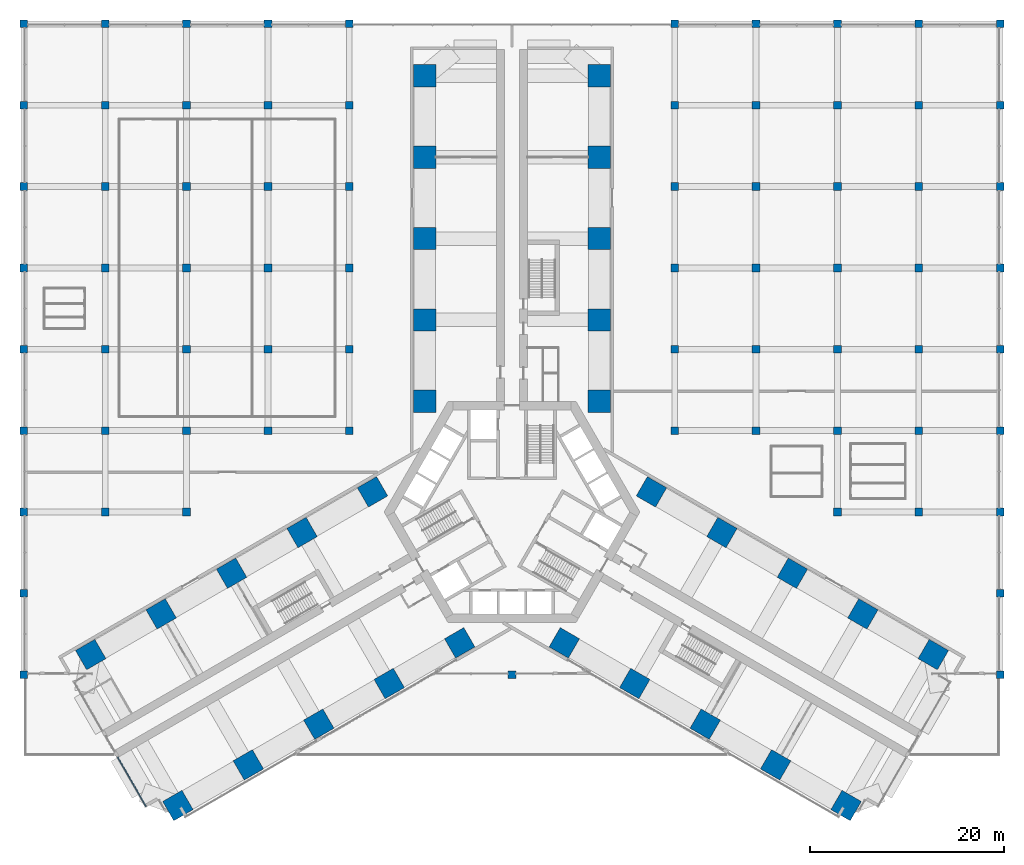
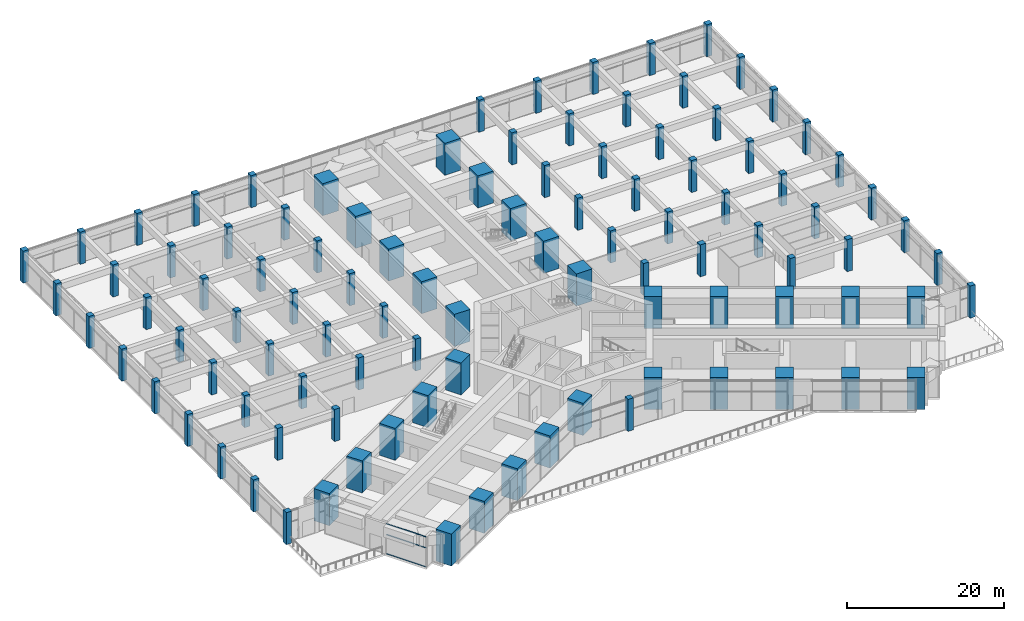
# One storey, part 1 of 34: 101 columns, 3 members, 1 element without a shape of its own.
"""IFC4 building model written with IfcOpenShell, lengths in metres."""

from ifc_helpers import new_model, si_unit, direction, frame, origin, origin_2d, place, context, subcontext, project, spatial, rectangle, extrude, material, material_profile, profile_set, type_object, element, aggregate, save


model = new_model("IFC4")

# Units and contexts
model_context = context("Model", 3, precision=1e-05, world=origin(), true_north=direction((0.0, 1.0)))
body_context = subcontext(model_context, "Body", "Model", "MODEL_VIEW")
ifc_project = project(units=[si_unit("LENGTHUNIT", "METRE"), si_unit("AREAUNIT", "SQUARE_METRE"), si_unit("VOLUMEUNIT", "CUBIC_METRE"), si_unit("PLANEANGLEUNIT", "RADIAN"), si_unit("MASSUNIT", "GRAM", prefix="KILO")], contexts=[model_context])

# Site, building, storey
site_placement = place(None, origin())
site = spatial("IfcSite", under=ifc_project, at=site_placement, CompositionType="ELEMENT")
building_placement = place(site_placement, origin())
building = spatial("IfcBuilding", under=site, at=building_placement, Name="Impinga Residences", CompositionType="ELEMENT")
storey_placement = place(building_placement, frame((0.0, 0.0, 16.0)))
storey = spatial("IfcBuildingStorey", under=building, at=storey_placement, Name="L03", CompositionType="ELEMENT", Elevation=16.0)

# Columns
ifc_material_1 = material(Name="Concrete C70/85", Category="concrete")
ifc_material_profile_1 = material_profile(ifc_material_1, rectangle(XDim=2.300048828125, YDim=2.300048828125, at=origin_2d()), Name="RC 2300x2300")
ifc_profile_set_1 = profile_set([ifc_material_profile_1], Name="Concrete C70/85")
column_type_1 = type_object("IfcColumnType", Name="C1 2300x2300 column", PredefinedType="COLUMN", material=ifc_profile_set_1)
for number, where, z_axis, x_axis, name in (
    (1, (-9.0, 11.431640625, 0.0), (0.0, 0.0, 1.0), (1.0, 0.0, 0.0), "Column C1 N1/NA L03"),
    (2, (9.0, 11.431640625, 0.0), (0.0, 0.0, 1.0), (1.0, 0.0, 0.0), "Column C1 N1/NF L03"),
    (3, (-9.0, 19.83154296875, 0.0), (0.0, 0.0, 1.0), (1.0, 0.0, 0.0), "Column C1 N2/NA L03"),
    (4, (9.0, 19.83154296875, 0.0), (0.0, 0.0, 1.0), (1.0, 0.0, 0.0), "Column C1 N2/NF L03"),
    (5, (-9.0, 28.2314453125, 0.0), (0.0, 0.0, 1.0), (1.0, 0.0, 0.0), "Column C1 N3/NA L03"),
    (6, (9.0, 28.2314453125, 0.0), (0.0, 0.0, 1.0), (1.0, 0.0, 0.0), "Column C1 N3/NF L03"),
    (7, (-9.0, 36.631591796875, 0.0), (0.0, 0.0, 1.0), (1.0, 0.0, 0.0), "Column C1 N4/NA L03"),
    (8, (9.0, 36.631591796875, 0.0), (0.0, 0.0, 1.0), (1.0, 0.0, 0.0), "Column C1 N4/NF L03"),
    (9, (-9.0, 45.031494140625, 0.0), (0.0, 0.0, 1.0), (1.0, 0.0, 0.0), "Column C1 N5/NA L03"),
    (10, (9.0, 45.031494140625, 0.0), (0.0, 0.0, 1.0), (1.0, 0.0, 0.0), "Column C1 N5/NF L03"),
    (11, (-5.39990234375, -13.510009765625, 0.0), (0.0, 0.0, 1.0), (-0.5, 0.866025403784, 0.0), "Column C1 W1/WA L03"),
    (12, (-14.39990234375, 2.078369140625, 0.0), (0.0, 0.0, 1.0), (-0.5, 0.866025403784, 0.0), "Column C1 W1/WF L03"),
    (13, (-12.674560546875, -17.7099609375, 0.0), (0.0, 0.0, 1.0), (-0.5, 0.866025403784, 0.0), "Column C1 W2/WA L03"),
    (14, (-21.674560546875, -2.12158203125, 0.0), (0.0, 0.0, 1.0), (-0.5, 0.866025403784, 0.0), "Column C1 W2/WF L03"),
    (15, (-19.94921875, -21.909912109375, 0.0), (0.0, 0.0, 1.0), (-0.5, 0.866025403784, 0.0), "Column C1 W3/WA L03"),
    (16, (-28.94921875, -6.321533203125, 0.0), (0.0, 0.0, 1.0), (-0.5, 0.866025403784, 0.0), "Column C1 W3/WF L03"),
    (17, (-27.223876953125, -26.110107421875, 0.0), (0.0, 0.0, 1.0), (-0.5, 0.866025403784, 0.0), "Column C1 W4/WA L03"),
    (18, (-36.223876953125, -10.521484375, 0.0), (0.0, 0.0, 1.0), (-0.5, 0.866025403784, 0.0), "Column C1 W4/WF L03"),
    (19, (-34.49853515625, -30.31005859375, 0.0), (0.0, 0.0, 1.0), (-0.5, 0.866025403784, 0.0), "Column C1 W5/WA L03"),
    (20, (-43.49853515625, -14.721435546875, 0.0), (0.0, 0.0, 1.0), (-0.5, 0.866025403784, 0.0), "Column C1 W5/WF L03"),
    (21, (14.39990234375, 2.078369140625, 0.0), (0.0, 0.0, 1.0), (-0.5, -0.866025403784, 0.0), "Column C1 E1/EA L03"),
    (22, (5.39990234375, -13.510009765625, 0.0), (0.0, 0.0, 1.0), (-0.5, -0.866025403784, 0.0), "Column C1 E1/EF L03"),
    (23, (21.674560546875, -2.12158203125, 0.0), (0.0, 0.0, 1.0), (-0.5, -0.866025403784, 0.0), "Column C1 E2/EA L03"),
    (24, (12.674560546875, -17.7099609375, 0.0), (0.0, 0.0, 1.0), (-0.5, -0.866025403784, 0.0), "Column C1 E2/EF L03"),
    (25, (28.94921875, -6.321533203125, 0.0), (0.0, 0.0, 1.0), (-0.5, -0.866025403784, 0.0), "Column C1 E3/EA L03"),
    (26, (19.94921875, -21.909912109375, 0.0), (0.0, 0.0, 1.0), (-0.5, -0.866025403784, 0.0), "Column C1 E3/EF L03"),
    (27, (36.223876953125, -10.521484375, 0.0), (0.0, 0.0, 1.0), (-0.5, -0.866025403784, 0.0), "Column C1 E4/EA L03"),
    (28, (27.223876953125, -26.110107421875, 0.0), (0.0, 0.0, 1.0), (-0.5, -0.866025403784, 0.0), "Column C1 E4/EF L03"),
    (29, (43.49853515625, -14.721435546875, 0.0), (0.0, 0.0, 1.0), (-0.5, -0.866025403784, 0.0), "Column C1 E5/EA L03"),
    (30, (34.49853515625, -30.31005859375, 0.0), (0.0, 0.0, 1.0), (-0.5, -0.866025403784, 0.0), "Column C1 E5/EF L03"),
):
    element("IfcColumn", number, at=place(storey_placement, frame(where, z_axis=z_axis, x_axis=x_axis)), inside=storey, type_object=column_type_1, Name=name, PredefinedType="COLUMN", context=body_context, shape_type="SweptSolid", body=[
        extrude(rectangle(XDim=2.300048828125, YDim=2.300048828125, at=origin_2d()), origin(), (0.0, 0.0, 1.0), 5.0),
    ])
ifc_material_profile_2 = material_profile(ifc_material_1, rectangle(XDim=0.800048828125, YDim=0.800048828125, at=origin_2d()), Name="RC 800x800")
ifc_profile_set_2 = profile_set([ifc_material_profile_2], Name="Concrete C70/85")
column_type_2 = type_object("IfcColumnType", Name="PC3 800x800 column", PredefinedType="COLUMN", material=ifc_profile_set_2)
for number, where, z_axis, x_axis, name in (
    (31, (-50.39990234375, -16.800048828125, 0.0), (0.0, 0.0, 1.0), (1.0, 0.0, 0.0), "Column PC3 1/D L03"),
    (32, (-50.39990234375, -8.39990234375, 0.0), (0.0, 0.0, 1.0), (1.0, 0.0, 0.0), "Column PC3 1/E L03"),
    (33, (-50.39990234375, 0.0, 0.0), (0.0, 0.0, 1.0), (1.0, 0.0, 0.0), "Column PC3 1/F L03"),
    (34, (-50.39990234375, 8.39990234375, 0.0), (0.0, 0.0, 1.0), (1.0, 0.0, 0.0), "Column PC3 1/G L03"),
    (35, (-50.39990234375, 16.800048828125, 0.0), (0.0, 0.0, 1.0), (1.0, 0.0, 0.0), "Column PC3 1/H L03"),
    (36, (-50.39990234375, 25.199951171875, 0.0), (0.0, 0.0, 1.0), (1.0, 0.0, 0.0), "Column PC3 1/J L03"),
    (37, (-50.39990234375, 33.60009765625, 0.0), (0.0, 0.0, 1.0), (1.0, 0.0, 0.0), "Column PC3 1/K L03"),
    (38, (-50.39990234375, 42.0, 0.0), (0.0, 0.0, 1.0), (1.0, 0.0, 0.0), "Column PC3 1/L L03"),
    (39, (-50.39990234375, 50.39990234375, 0.0), (0.0, 0.0, 1.0), (1.0, 0.0, 0.0), "Column PC3 1/M L03"),
    (40, (-42.0, 0.0, 0.0), (0.0, 0.0, 1.0), (1.0, 0.0, 0.0), "Column PC3 2/F L03"),
    (41, (-42.0, 8.39990234375, 0.0), (0.0, 0.0, 1.0), (1.0, 0.0, 0.0), "Column PC3 2/G L03"),
    (42, (-42.0, 16.800048828125, 0.0), (0.0, 0.0, 1.0), (1.0, 0.0, 0.0), "Column PC3 2/H L03"),
    (43, (-42.0, 25.199951171875, 0.0), (0.0, 0.0, 1.0), (1.0, 0.0, 0.0), "Column PC3 2/J L03"),
    (44, (-42.0, 33.60009765625, 0.0), (0.0, 0.0, 1.0), (1.0, 0.0, 0.0), "Column PC3 2/K L03"),
    (45, (-42.0, 42.0, 0.0), (0.0, 0.0, 1.0), (1.0, 0.0, 0.0), "Column PC3 2/L L03"),
    (46, (-42.0, 50.39990234375, 0.0), (0.0, 0.0, 1.0), (1.0, 0.0, 0.0), "Column PC3 2/M L03"),
    (47, (-33.60009765625, 0.0, 0.0), (0.0, 0.0, 1.0), (1.0, 0.0, 0.0), "Column PC3 3/F L03"),
    (48, (-33.60009765625, 8.39990234375, 0.0), (0.0, 0.0, 1.0), (1.0, 0.0, 0.0), "Column PC3 3/G L03"),
    (49, (-33.60009765625, 16.800048828125, 0.0), (0.0, 0.0, 1.0), (1.0, 0.0, 0.0), "Column PC3 3/H L03"),
    (50, (-33.60009765625, 25.199951171875, 0.0), (0.0, 0.0, 1.0), (1.0, 0.0, 0.0), "Column PC3 3/J L03"),
    (51, (-33.60009765625, 33.60009765625, 0.0), (0.0, 0.0, 1.0), (1.0, 0.0, 0.0), "Column PC3 3/K L03"),
    (52, (-33.60009765625, 42.0, 0.0), (0.0, 0.0, 1.0), (1.0, 0.0, 0.0), "Column PC3 3/L L03"),
    (53, (-33.60009765625, 50.39990234375, 0.0), (0.0, 0.0, 1.0), (1.0, 0.0, 0.0), "Column PC3 3/M L03"),
    (54, (-25.199951171875, 8.39990234375, 0.0), (0.0, 0.0, 1.0), (1.0, 0.0, 0.0), "Column PC3 4/G L03"),
    (55, (-25.199951171875, 16.800048828125, 0.0), (0.0, 0.0, 1.0), (1.0, 0.0, 0.0), "Column PC3 4/H L03"),
    (56, (-25.199951171875, 25.199951171875, 0.0), (0.0, 0.0, 1.0), (1.0, 0.0, 0.0), "Column PC3 4/J L03"),
    (57, (-25.199951171875, 33.60009765625, 0.0), (0.0, 0.0, 1.0), (1.0, 0.0, 0.0), "Column PC3 4/K L03"),
    (58, (-25.199951171875, 42.0, 0.0), (0.0, 0.0, 1.0), (1.0, 0.0, 0.0), "Column PC3 4/L L03"),
    (59, (-25.199951171875, 50.39990234375, 0.0), (0.0, 0.0, 1.0), (1.0, 0.0, 0.0), "Column PC3 4/M L03"),
    (60, (-16.800048828125, 8.39990234375, 0.0), (0.0, 0.0, 1.0), (1.0, 0.0, 0.0), "Column PC3 5/G L03"),
    (61, (-16.800048828125, 16.800048828125, 0.0), (0.0, 0.0, 1.0), (1.0, 0.0, 0.0), "Column PC3 5/H L03"),
    (62, (-16.800048828125, 25.199951171875, 0.0), (0.0, 0.0, 1.0), (1.0, 0.0, 0.0), "Column PC3 5/J L03"),
    (63, (-16.800048828125, 33.60009765625, 0.0), (0.0, 0.0, 1.0), (1.0, 0.0, 0.0), "Column PC3 5/K L03"),
    (64, (-16.800048828125, 42.0, 0.0), (0.0, 0.0, 1.0), (1.0, 0.0, 0.0), "Column PC3 5/L L03"),
    (65, (-16.800048828125, 50.39990234375, 0.0), (0.0, 0.0, 1.0), (1.0, 0.0, 0.0), "Column PC3 5/M L03"),
    (66, (0.0, -16.800048828125, 0.0), (0.0, 0.0, 1.0), (1.0, 0.0, 0.0), "Column PC3 7/D L03"),
    (67, (16.800048828125, 8.39990234375, 0.0), (0.0, 0.0, 1.0), (1.0, 0.0, 0.0), "Column PC3 9/G L03"),
    (68, (16.800048828125, 16.800048828125, 0.0), (0.0, 0.0, 1.0), (1.0, 0.0, 0.0), "Column PC3 9/H L03"),
    (69, (16.800048828125, 25.199951171875, 0.0), (0.0, 0.0, 1.0), (1.0, 0.0, 0.0), "Column PC3 9/J L03"),
    (70, (16.800048828125, 33.60009765625, 0.0), (0.0, 0.0, 1.0), (1.0, 0.0, 0.0), "Column PC3 9/K L03"),
    (71, (16.800048828125, 42.0, 0.0), (0.0, 0.0, 1.0), (1.0, 0.0, 0.0), "Column PC3 9/L L03"),
    (72, (16.800048828125, 50.39990234375, 0.0), (0.0, 0.0, 1.0), (1.0, 0.0, 0.0), "Column PC3 9/M L03"),
    (73, (25.199951171875, 8.39990234375, 0.0), (0.0, 0.0, 1.0), (1.0, 0.0, 0.0), "Column PC3 10/G L03"),
    (74, (25.199951171875, 16.800048828125, 0.0), (0.0, 0.0, 1.0), (1.0, 0.0, 0.0), "Column PC3 10/H L03"),
    (75, (25.199951171875, 25.199951171875, 0.0), (0.0, 0.0, 1.0), (1.0, 0.0, 0.0), "Column PC3 10/J L03"),
    (76, (25.199951171875, 33.60009765625, 0.0), (0.0, 0.0, 1.0), (1.0, 0.0, 0.0), "Column PC3 10/K L03"),
    (77, (25.199951171875, 42.0, 0.0), (0.0, 0.0, 1.0), (1.0, 0.0, 0.0), "Column PC3 10/L L03"),
    (78, (25.199951171875, 50.39990234375, 0.0), (0.0, 0.0, 1.0), (1.0, 0.0, 0.0), "Column PC3 10/M L03"),
    (79, (33.60009765625, 0.0, 0.0), (0.0, 0.0, 1.0), (1.0, 0.0, 0.0), "Column PC3 11/F L03"),
    (80, (33.60009765625, 8.39990234375, 0.0), (0.0, 0.0, 1.0), (1.0, 0.0, 0.0), "Column PC3 11/G L03"),
    (81, (33.60009765625, 16.800048828125, 0.0), (0.0, 0.0, 1.0), (1.0, 0.0, 0.0), "Column PC3 11/H L03"),
    (82, (33.60009765625, 25.199951171875, 0.0), (0.0, 0.0, 1.0), (1.0, 0.0, 0.0), "Column PC3 11/J L03"),
    (83, (33.60009765625, 33.60009765625, 0.0), (0.0, 0.0, 1.0), (1.0, 0.0, 0.0), "Column PC3 11/K L03"),
    (84, (33.60009765625, 42.0, 0.0), (0.0, 0.0, 1.0), (1.0, 0.0, 0.0), "Column PC3 11/L L03"),
    (85, (33.60009765625, 50.39990234375, 0.0), (0.0, 0.0, 1.0), (1.0, 0.0, 0.0), "Column PC3 11/M L03"),
    (86, (42.0, 0.0, 0.0), (0.0, 0.0, 1.0), (1.0, 0.0, 0.0), "Column PC3 12/F L03"),
    (87, (42.0, 8.39990234375, 0.0), (0.0, 0.0, 1.0), (1.0, 0.0, 0.0), "Column PC3 12/G L03"),
    (88, (42.0, 16.800048828125, 0.0), (0.0, 0.0, 1.0), (1.0, 0.0, 0.0), "Column PC3 12/H L03"),
    (89, (42.0, 25.199951171875, 0.0), (0.0, 0.0, 1.0), (1.0, 0.0, 0.0), "Column PC3 12/J L03"),
    (90, (42.0, 33.60009765625, 0.0), (0.0, 0.0, 1.0), (1.0, 0.0, 0.0), "Column PC3 12/K L03"),
    (91, (42.0, 42.0, 0.0), (0.0, 0.0, 1.0), (1.0, 0.0, 0.0), "Column PC3 12/L L03"),
    (92, (42.0, 50.39990234375, 0.0), (0.0, 0.0, 1.0), (1.0, 0.0, 0.0), "Column PC3 12/M L03"),
    (93, (50.39990234375, -16.800048828125, 0.0), (0.0, 0.0, 1.0), (1.0, 0.0, 0.0), "Column PC3 13/D L03"),
    (94, (50.39990234375, -8.39990234375, 0.0), (0.0, 0.0, 1.0), (1.0, 0.0, 0.0), "Column PC3 13/E L03"),
    (95, (50.39990234375, 0.0, 0.0), (0.0, 0.0, 1.0), (1.0, 0.0, 0.0), "Column PC3 13/F L03"),
    (96, (50.39990234375, 8.39990234375, 0.0), (0.0, 0.0, 1.0), (1.0, 0.0, 0.0), "Column PC3 13/G L03"),
    (97, (50.39990234375, 16.800048828125, 0.0), (0.0, 0.0, 1.0), (1.0, 0.0, 0.0), "Column PC3 13/H L03"),
    (98, (50.39990234375, 25.199951171875, 0.0), (0.0, 0.0, 1.0), (1.0, 0.0, 0.0), "Column PC3 13/J L03"),
    (99, (50.39990234375, 33.60009765625, 0.0), (0.0, 0.0, 1.0), (1.0, 0.0, 0.0), "Column PC3 13/K L03"),
    (100, (50.39990234375, 42.0, 0.0), (0.0, 0.0, 1.0), (1.0, 0.0, 0.0), "Column PC3 13/L L03"),
    (101, (50.39990234375, 50.39990234375, 0.0), (0.0, 0.0, 1.0), (1.0, 0.0, 0.0), "Column PC3 13/M L03"),
):
    element("IfcColumn", number, at=place(storey_placement, frame(where, z_axis=z_axis, x_axis=x_axis)), inside=storey, type_object=column_type_2, Name=name, PredefinedType="COLUMN", context=body_context, shape_type="SweptSolid", body=[
        extrude(rectangle(XDim=0.800048828125, YDim=0.800048828125, at=origin_2d()), origin(), (0.0, 0.0, 1.0), 5.0),
    ])

# Curtain wall, members
ifc_material_2 = material(Name="Aluminium stick curtain wall", Category="aluminium")
curtain_wall_type = type_object("IfcCurtainWallType", Name="CW1 podium amenity curtain wall", PredefinedType="USERDEFINED", material=ifc_material_2)
curtain_wall_placement = place(storey_placement, origin())
curtain_wall = element("IfcCurtainWall", 102, at=curtain_wall_placement, inside=storey, type_object=curtain_wall_type, Name="Curtain wall CW1 L03", ObjectType="STICK CURTAIN WALL", PredefinedType="USERDEFINED")
ifc_material_3 = material(Name="Aluminium transom", Category="aluminium")
ifc_material_profile_3 = material_profile(ifc_material_3, rectangle(XDim=0.06005859375, YDim=0.1201171875, at=origin_2d()), Name="60x120 transom")
ifc_profile_set_3 = profile_set([ifc_material_profile_3], Name="Aluminium transom")
member_type = type_object("IfcMemberType", Name="CW1-T transom 60x120", PredefinedType="USERDEFINED", material=ifc_profile_set_3)
member_1_placement = place(storey_placement, frame((-37.7900390625, -30.408935546875, 0.030029296875), z_axis=(-0.499988418424, 0.866032090307, 0.0), x_axis=(0.0, 0.0, 1.0)))
member_1 = element("IfcMember", 103, at=member_1_placement, type_object=member_type, Name="CW1 transom 1.1", ObjectType="TRANSOM", PredefinedType="USERDEFINED", context=body_context, shape_type="SweptSolid", body=[
    extrude(rectangle(XDim=0.06005859375, YDim=0.1201171875, at=origin_2d()), origin(), (0.0, 0.0, 1.0), 5.880126953125),
])
member_2_placement = place(storey_placement, frame((-37.7900390625, -30.408935546875, 3.0), z_axis=(-0.499988418424, 0.866032090307, 0.0), x_axis=(0.0, 0.0, 1.0)))
member_2 = element("IfcMember", 104, at=member_2_placement, type_object=member_type, Name="CW1 transom 1.2", ObjectType="TRANSOM", PredefinedType="USERDEFINED", context=body_context, shape_type="SweptSolid", body=[
    extrude(rectangle(XDim=0.06005859375, YDim=0.1201171875, at=origin_2d()), origin(), (0.0, 0.0, 1.0), 5.880126953125),
])
member_3_placement = place(storey_placement, frame((-37.7900390625, -30.408935546875, 4.669921875), z_axis=(-0.499988418424, 0.866032090307, 0.0), x_axis=(0.0, 0.0, 1.0)))
member_3 = element("IfcMember", 105, at=member_3_placement, type_object=member_type, Name="CW1 transom 1.3", ObjectType="TRANSOM", PredefinedType="USERDEFINED", context=body_context, shape_type="SweptSolid", body=[
    extrude(rectangle(XDim=0.06005859375, YDim=0.1201171875, at=origin_2d()), origin(), (0.0, 0.0, 1.0), 5.880126953125),
])
aggregate(curtain_wall, [member_1, member_2, member_3])

save(model, "model.ifc")
